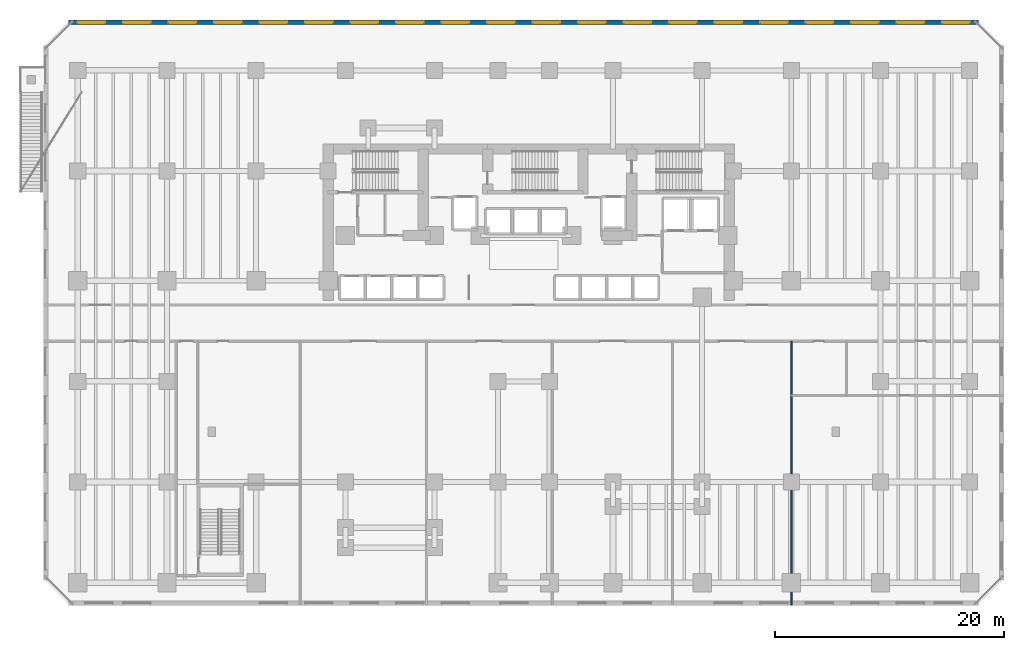
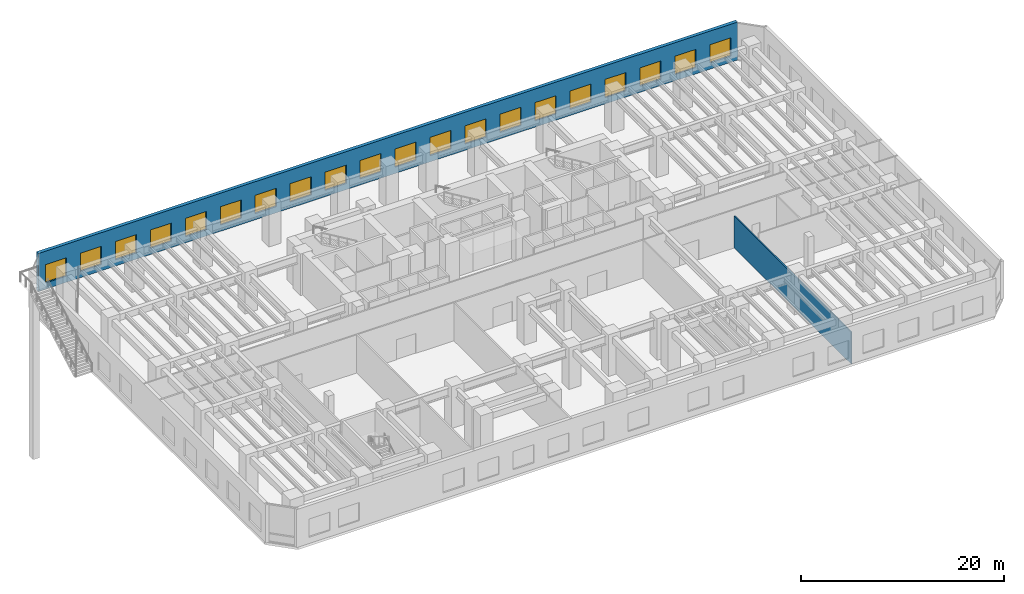
# One storey, part 15 of 20: 20 windows, 2 walls, 20 openings.
"""IFC4 building model written with IfcOpenShell, lengths in metres."""

from ifc_helpers import new_model, si_unit, direction, frame, frame_2d, origin, place, context, subcontext, project, spatial, rectangle, extrude, material, layer, layer_set, type_object, element, fill, save


model = new_model("IFC4")

# Units and contexts
model_context = context("Model", 3, precision=1e-05, world=origin(), true_north=direction((0.0, 1.0)))
body_context = subcontext(model_context, "Body", "Model", "MODEL_VIEW")
ifc_project = project(units=[si_unit("LENGTHUNIT", "METRE"), si_unit("AREAUNIT", "SQUARE_METRE"), si_unit("VOLUMEUNIT", "CUBIC_METRE"), si_unit("PLANEANGLEUNIT", "RADIAN"), si_unit("MASSUNIT", "GRAM", prefix="KILO")], contexts=[model_context])

# Site, building, storey
site_placement = place(None, origin())
site = spatial("IfcSite", under=ifc_project, at=site_placement, CompositionType="ELEMENT")
building_placement = place(site_placement, origin())
building = spatial("IfcBuilding", under=site, at=building_placement, Name="Kestravale Grand Hotel", CompositionType="ELEMENT")
storey_placement = place(building_placement, frame((0.0, 0.0, 15.800048828125)))
storey = spatial("IfcBuildingStorey", under=building, at=storey_placement, Name="L03", CompositionType="ELEMENT", Elevation=15.800048828125)

# Wall, openings, windows
ifc_material_1 = material(Name="Precast concrete f'c 45 MPa", Category="concrete")
ifc_layer_1 = layer(ifc_material_1, 0.3798828125)
ifc_layer_set_1 = layer_set([ifc_layer_1], Name="EW-POD-380")
wall_type_1 = type_object("IfcWallType", Name="EW-POD-380", PredefinedType="SOLIDWALL", material=ifc_layer_set_1)
wall_1_placement = place(storey_placement, frame((78.7900390625, 51.409912109375, 0.0), z_axis=(0.0, 0.0, 1.0), x_axis=(-1.0, 0.0, 0.0)))
wall_1 = element("IfcWall", 1, at=wall_1_placement, inside=storey, type_object=wall_type_1, Name="L03 fluted precast facade wall 5", PredefinedType="SOLIDWALL", context=body_context, shape_type="SweptSolid", body=[
    extrude(rectangle(XDim=79.580078125, YDim=0.3798828125, at=frame_2d((39.7900390625, 0.0))), origin(), (0.0, 0.0, 1.0), 4.579833984375),
])
opening_1_placement = place(wall_1_placement, frame((0.78955078125, 0.0, 0.75)))
opening_1 = element("IfcOpeningElement", 2, at=opening_1_placement, cuts=wall_1, Name="Opening W-POD-2400", PredefinedType="OPENING", context=body_context, shape_type="SweptSolid", body=[
    extrude(rectangle(XDim=2.39990234375, YDim=2.199951171875, at=frame_2d((1.199951171875, 1.10009765625))), frame((0.0, 0.199951171875, 0.0), z_axis=(0.0, -1.0, 0.0), x_axis=(1.0, 0.0, 0.0)), (0.0, 0.0, 1.0), 0.39990234375),
])
opening_2_placement = place(wall_1_placement, frame((4.7685546875, 0.0, 0.75)))
opening_2 = element("IfcOpeningElement", 3, at=opening_2_placement, cuts=wall_1, Name="Opening W-POD-2400", PredefinedType="OPENING", context=body_context, shape_type="SweptSolid", body=[
    extrude(rectangle(XDim=2.39990234375, YDim=2.199951171875, at=frame_2d((1.199951171875, 1.10009765625))), frame((0.0, 0.199951171875, 0.0), z_axis=(0.0, -1.0, 0.0), x_axis=(1.0, 0.0, 0.0)), (0.0, 0.0, 1.0), 0.39990234375),
])
opening_3_placement = place(wall_1_placement, frame((8.74755859375, 0.0, 0.75)))
opening_3 = element("IfcOpeningElement", 4, at=opening_3_placement, cuts=wall_1, Name="Opening W-POD-2400", PredefinedType="OPENING", context=body_context, shape_type="SweptSolid", body=[
    extrude(rectangle(XDim=2.39990234375, YDim=2.199951171875, at=frame_2d((1.199951171875, 1.10009765625))), frame((0.0, 0.199951171875, 0.0), z_axis=(0.0, -1.0, 0.0), x_axis=(1.0, 0.0, 0.0)), (0.0, 0.0, 1.0), 0.39990234375),
])
opening_4_placement = place(wall_1_placement, frame((12.7265625, 0.0, 0.75)))
opening_4 = element("IfcOpeningElement", 5, at=opening_4_placement, cuts=wall_1, Name="Opening W-POD-2400", PredefinedType="OPENING", context=body_context, shape_type="SweptSolid", body=[
    extrude(rectangle(XDim=2.39990234375, YDim=2.199951171875, at=frame_2d((1.199951171875, 1.10009765625))), frame((0.0, 0.199951171875, 0.0), z_axis=(0.0, -1.0, 0.0), x_axis=(1.0, 0.0, 0.0)), (0.0, 0.0, 1.0), 0.39990234375),
])
opening_5_placement = place(wall_1_placement, frame((16.70556640625, 0.0, 0.75)))
opening_5 = element("IfcOpeningElement", 6, at=opening_5_placement, cuts=wall_1, Name="Opening W-POD-2400", PredefinedType="OPENING", context=body_context, shape_type="SweptSolid", body=[
    extrude(rectangle(XDim=2.39990234375, YDim=2.199951171875, at=frame_2d((1.199951171875, 1.10009765625))), frame((0.0, 0.199951171875, 0.0), z_axis=(0.0, -1.0, 0.0), x_axis=(1.0, 0.0, 0.0)), (0.0, 0.0, 1.0), 0.39990234375),
])
opening_6_placement = place(wall_1_placement, frame((20.6845703125, 0.0, 0.75)))
opening_6 = element("IfcOpeningElement", 7, at=opening_6_placement, cuts=wall_1, Name="Opening W-POD-2400", PredefinedType="OPENING", context=body_context, shape_type="SweptSolid", body=[
    extrude(rectangle(XDim=2.39990234375, YDim=2.199951171875, at=frame_2d((1.199951171875, 1.10009765625))), frame((0.0, 0.199951171875, 0.0), z_axis=(0.0, -1.0, 0.0), x_axis=(1.0, 0.0, 0.0)), (0.0, 0.0, 1.0), 0.39990234375),
])
opening_7_placement = place(wall_1_placement, frame((24.66357421875, 0.0, 0.75)))
opening_7 = element("IfcOpeningElement", 8, at=opening_7_placement, cuts=wall_1, Name="Opening W-POD-2400", PredefinedType="OPENING", context=body_context, shape_type="SweptSolid", body=[
    extrude(rectangle(XDim=2.39990234375, YDim=2.199951171875, at=frame_2d((1.199951171875, 1.10009765625))), frame((0.0, 0.199951171875, 0.0), z_axis=(0.0, -1.0, 0.0), x_axis=(1.0, 0.0, 0.0)), (0.0, 0.0, 1.0), 0.39990234375),
])
opening_8_placement = place(wall_1_placement, frame((28.642578125, 0.0, 0.75)))
opening_8 = element("IfcOpeningElement", 9, at=opening_8_placement, cuts=wall_1, Name="Opening W-POD-2400", PredefinedType="OPENING", context=body_context, shape_type="SweptSolid", body=[
    extrude(rectangle(XDim=2.39990234375, YDim=2.199951171875, at=frame_2d((1.199951171875, 1.10009765625))), frame((0.0, 0.199951171875, 0.0), z_axis=(0.0, -1.0, 0.0), x_axis=(1.0, 0.0, 0.0)), (0.0, 0.0, 1.0), 0.39990234375),
])
opening_9_placement = place(wall_1_placement, frame((32.62158203125, 0.0, 0.75)))
opening_9 = element("IfcOpeningElement", 10, at=opening_9_placement, cuts=wall_1, Name="Opening W-POD-2400", PredefinedType="OPENING", context=body_context, shape_type="SweptSolid", body=[
    extrude(rectangle(XDim=2.39990234375, YDim=2.199951171875, at=frame_2d((1.199951171875, 1.10009765625))), frame((0.0, 0.199951171875, 0.0), z_axis=(0.0, -1.0, 0.0), x_axis=(1.0, 0.0, 0.0)), (0.0, 0.0, 1.0), 0.39990234375),
])
opening_10_placement = place(wall_1_placement, frame((36.6005859375, 0.0, 0.75)))
opening_10 = element("IfcOpeningElement", 11, at=opening_10_placement, cuts=wall_1, Name="Opening W-POD-2400", PredefinedType="OPENING", context=body_context, shape_type="SweptSolid", body=[
    extrude(rectangle(XDim=2.39990234375, YDim=2.199951171875, at=frame_2d((1.199951171875, 1.10009765625))), frame((0.0, 0.199951171875, 0.0), z_axis=(0.0, -1.0, 0.0), x_axis=(1.0, 0.0, 0.0)), (0.0, 0.0, 1.0), 0.39990234375),
])
opening_11_placement = place(wall_1_placement, frame((40.57958984375, 0.0, 0.75)))
opening_11 = element("IfcOpeningElement", 12, at=opening_11_placement, cuts=wall_1, Name="Opening W-POD-2400", PredefinedType="OPENING", context=body_context, shape_type="SweptSolid", body=[
    extrude(rectangle(XDim=2.39990234375, YDim=2.199951171875, at=frame_2d((1.199951171875, 1.10009765625))), frame((0.0, 0.199951171875, 0.0), z_axis=(0.0, -1.0, 0.0), x_axis=(1.0, 0.0, 0.0)), (0.0, 0.0, 1.0), 0.39990234375),
])
opening_12_placement = place(wall_1_placement, frame((44.55859375, 0.0, 0.75)))
opening_12 = element("IfcOpeningElement", 13, at=opening_12_placement, cuts=wall_1, Name="Opening W-POD-2400", PredefinedType="OPENING", context=body_context, shape_type="SweptSolid", body=[
    extrude(rectangle(XDim=2.39990234375, YDim=2.199951171875, at=frame_2d((1.199951171875, 1.10009765625))), frame((0.0, 0.199951171875, 0.0), z_axis=(0.0, -1.0, 0.0), x_axis=(1.0, 0.0, 0.0)), (0.0, 0.0, 1.0), 0.39990234375),
])
opening_13_placement = place(wall_1_placement, frame((48.53759765625, 0.0, 0.75)))
opening_13 = element("IfcOpeningElement", 14, at=opening_13_placement, cuts=wall_1, Name="Opening W-POD-2400", PredefinedType="OPENING", context=body_context, shape_type="SweptSolid", body=[
    extrude(rectangle(XDim=2.39990234375, YDim=2.199951171875, at=frame_2d((1.199951171875, 1.10009765625))), frame((0.0, 0.199951171875, 0.0), z_axis=(0.0, -1.0, 0.0), x_axis=(1.0, 0.0, 0.0)), (0.0, 0.0, 1.0), 0.39990234375),
])
opening_14_placement = place(wall_1_placement, frame((52.5166015625, 0.0, 0.75)))
opening_14 = element("IfcOpeningElement", 15, at=opening_14_placement, cuts=wall_1, Name="Opening W-POD-2400", PredefinedType="OPENING", context=body_context, shape_type="SweptSolid", body=[
    extrude(rectangle(XDim=2.39990234375, YDim=2.199951171875, at=frame_2d((1.199951171875, 1.10009765625))), frame((0.0, 0.199951171875, 0.0), z_axis=(0.0, -1.0, 0.0), x_axis=(1.0, 0.0, 0.0)), (0.0, 0.0, 1.0), 0.39990234375),
])
opening_15_placement = place(wall_1_placement, frame((56.49560546875, 0.0, 0.75)))
opening_15 = element("IfcOpeningElement", 16, at=opening_15_placement, cuts=wall_1, Name="Opening W-POD-2400", PredefinedType="OPENING", context=body_context, shape_type="SweptSolid", body=[
    extrude(rectangle(XDim=2.39990234375, YDim=2.199951171875, at=frame_2d((1.199951171875, 1.10009765625))), frame((0.0, 0.199951171875, 0.0), z_axis=(0.0, -1.0, 0.0), x_axis=(1.0, 0.0, 0.0)), (0.0, 0.0, 1.0), 0.39990234375),
])
opening_16_placement = place(wall_1_placement, frame((60.474609375, 0.0, 0.75)))
opening_16 = element("IfcOpeningElement", 17, at=opening_16_placement, cuts=wall_1, Name="Opening W-POD-2400", PredefinedType="OPENING", context=body_context, shape_type="SweptSolid", body=[
    extrude(rectangle(XDim=2.39990234375, YDim=2.199951171875, at=frame_2d((1.199951171875, 1.10009765625))), frame((0.0, 0.199951171875, 0.0), z_axis=(0.0, -1.0, 0.0), x_axis=(1.0, 0.0, 0.0)), (0.0, 0.0, 1.0), 0.39990234375),
])
opening_17_placement = place(wall_1_placement, frame((64.45361328125, 0.0, 0.75)))
opening_17 = element("IfcOpeningElement", 18, at=opening_17_placement, cuts=wall_1, Name="Opening W-POD-2400", PredefinedType="OPENING", context=body_context, shape_type="SweptSolid", body=[
    extrude(rectangle(XDim=2.39990234375, YDim=2.199951171875, at=frame_2d((1.199951171875, 1.10009765625))), frame((0.0, 0.199951171875, 0.0), z_axis=(0.0, -1.0, 0.0), x_axis=(1.0, 0.0, 0.0)), (0.0, 0.0, 1.0), 0.39990234375),
])
opening_18_placement = place(wall_1_placement, frame((68.4326171875, 0.0, 0.75)))
opening_18 = element("IfcOpeningElement", 19, at=opening_18_placement, cuts=wall_1, Name="Opening W-POD-2400", PredefinedType="OPENING", context=body_context, shape_type="SweptSolid", body=[
    extrude(rectangle(XDim=2.39990234375, YDim=2.199951171875, at=frame_2d((1.199951171875, 1.10009765625))), frame((0.0, 0.199951171875, 0.0), z_axis=(0.0, -1.0, 0.0), x_axis=(1.0, 0.0, 0.0)), (0.0, 0.0, 1.0), 0.39990234375),
])
opening_19_placement = place(wall_1_placement, frame((72.41162109375, 0.0, 0.75)))
opening_19 = element("IfcOpeningElement", 20, at=opening_19_placement, cuts=wall_1, Name="Opening W-POD-2400", PredefinedType="OPENING", context=body_context, shape_type="SweptSolid", body=[
    extrude(rectangle(XDim=2.39990234375, YDim=2.199951171875, at=frame_2d((1.199951171875, 1.10009765625))), frame((0.0, 0.199951171875, 0.0), z_axis=(0.0, -1.0, 0.0), x_axis=(1.0, 0.0, 0.0)), (0.0, 0.0, 1.0), 0.39990234375),
])
opening_20_placement = place(wall_1_placement, frame((76.390380859375, 0.0, 0.75)))
opening_20 = element("IfcOpeningElement", 21, at=opening_20_placement, cuts=wall_1, Name="Opening W-POD-2400", PredefinedType="OPENING", context=body_context, shape_type="SweptSolid", body=[
    extrude(rectangle(XDim=2.39990234375, YDim=2.199951171875, at=frame_2d((1.199951171875, 1.10009765625))), frame((0.0, 0.199951171875, 0.0), z_axis=(0.0, -1.0, 0.0), x_axis=(1.0, 0.0, 0.0)), (0.0, 0.0, 1.0), 0.39990234375),
])
ifc_material_2 = material(Name="Insulated low-E double glazing in aluminium frame", Category="aluminium")
window_type = type_object("IfcWindowType", Name="W-POD-2400", PartitioningType="DOUBLE_PANEL_VERTICAL", PredefinedType="WINDOW", material=ifc_material_2)
window_1_placement = place(opening_1_placement, origin())
window_1 = element("IfcWindow", 22, at=window_1_placement, inside=storey, type_object=window_type, Name="L03 exterior window 5.1", OverallHeight=2.199951171875, OverallWidth=2.39990234375, PartitioningType="SINGLE_PANEL", PredefinedType="WINDOW", context=body_context, shape_type="SweptSolid", body=[
    extrude(rectangle(XDim=2.39990234375, YDim=2.199951171875, at=frame_2d((1.199951171875, 1.10009765625))), frame((0.0, 0.030029296875, 0.0), z_axis=(0.0, -1.0, 0.0), x_axis=(1.0, 0.0, 0.0)), (0.0, 0.0, 1.0), 0.06005859375),
])
fill(opening_1, window_1)
window_2_placement = place(opening_2_placement, origin())
window_2 = element("IfcWindow", 23, at=window_2_placement, inside=storey, type_object=window_type, Name="L03 exterior window 5.2", OverallHeight=2.199951171875, OverallWidth=2.39990234375, PartitioningType="SINGLE_PANEL", PredefinedType="WINDOW", context=body_context, shape_type="SweptSolid", body=[
    extrude(rectangle(XDim=2.39990234375, YDim=2.199951171875, at=frame_2d((1.199951171875, 1.10009765625))), frame((0.0, 0.030029296875, 0.0), z_axis=(0.0, -1.0, 0.0), x_axis=(1.0, 0.0, 0.0)), (0.0, 0.0, 1.0), 0.06005859375),
])
fill(opening_2, window_2)
window_3_placement = place(opening_3_placement, origin())
window_3 = element("IfcWindow", 24, at=window_3_placement, inside=storey, type_object=window_type, Name="L03 exterior window 5.3", OverallHeight=2.199951171875, OverallWidth=2.39990234375, PartitioningType="SINGLE_PANEL", PredefinedType="WINDOW", context=body_context, shape_type="SweptSolid", body=[
    extrude(rectangle(XDim=2.39990234375, YDim=2.199951171875, at=frame_2d((1.199951171875, 1.10009765625))), frame((0.0, 0.030029296875, 0.0), z_axis=(0.0, -1.0, 0.0), x_axis=(1.0, 0.0, 0.0)), (0.0, 0.0, 1.0), 0.06005859375),
])
fill(opening_3, window_3)
window_4_placement = place(opening_4_placement, origin())
window_4 = element("IfcWindow", 25, at=window_4_placement, inside=storey, type_object=window_type, Name="L03 exterior window 5.4", OverallHeight=2.199951171875, OverallWidth=2.39990234375, PartitioningType="SINGLE_PANEL", PredefinedType="WINDOW", context=body_context, shape_type="SweptSolid", body=[
    extrude(rectangle(XDim=2.39990234375, YDim=2.199951171875, at=frame_2d((1.199951171875, 1.10009765625))), frame((0.0, 0.030029296875, 0.0), z_axis=(0.0, -1.0, 0.0), x_axis=(1.0, 0.0, 0.0)), (0.0, 0.0, 1.0), 0.06005859375),
])
fill(opening_4, window_4)
window_5_placement = place(opening_5_placement, origin())
window_5 = element("IfcWindow", 26, at=window_5_placement, inside=storey, type_object=window_type, Name="L03 exterior window 5.5", OverallHeight=2.199951171875, OverallWidth=2.39990234375, PartitioningType="SINGLE_PANEL", PredefinedType="WINDOW", context=body_context, shape_type="SweptSolid", body=[
    extrude(rectangle(XDim=2.39990234375, YDim=2.199951171875, at=frame_2d((1.199951171875, 1.10009765625))), frame((0.0, 0.030029296875, 0.0), z_axis=(0.0, -1.0, 0.0), x_axis=(1.0, 0.0, 0.0)), (0.0, 0.0, 1.0), 0.06005859375),
])
fill(opening_5, window_5)
window_6_placement = place(opening_6_placement, origin())
window_6 = element("IfcWindow", 27, at=window_6_placement, inside=storey, type_object=window_type, Name="L03 exterior window 5.6", OverallHeight=2.199951171875, OverallWidth=2.39990234375, PartitioningType="SINGLE_PANEL", PredefinedType="WINDOW", context=body_context, shape_type="SweptSolid", body=[
    extrude(rectangle(XDim=2.39990234375, YDim=2.199951171875, at=frame_2d((1.199951171875, 1.10009765625))), frame((0.0, 0.030029296875, 0.0), z_axis=(0.0, -1.0, 0.0), x_axis=(1.0, 0.0, 0.0)), (0.0, 0.0, 1.0), 0.06005859375),
])
fill(opening_6, window_6)
window_7_placement = place(opening_7_placement, origin())
window_7 = element("IfcWindow", 28, at=window_7_placement, inside=storey, type_object=window_type, Name="L03 exterior window 5.7", OverallHeight=2.199951171875, OverallWidth=2.39990234375, PartitioningType="SINGLE_PANEL", PredefinedType="WINDOW", context=body_context, shape_type="SweptSolid", body=[
    extrude(rectangle(XDim=2.39990234375, YDim=2.199951171875, at=frame_2d((1.199951171875, 1.10009765625))), frame((0.0, 0.030029296875, 0.0), z_axis=(0.0, -1.0, 0.0), x_axis=(1.0, 0.0, 0.0)), (0.0, 0.0, 1.0), 0.06005859375),
])
fill(opening_7, window_7)
window_8_placement = place(opening_8_placement, origin())
window_8 = element("IfcWindow", 29, at=window_8_placement, inside=storey, type_object=window_type, Name="L03 exterior window 5.8", OverallHeight=2.199951171875, OverallWidth=2.39990234375, PartitioningType="SINGLE_PANEL", PredefinedType="WINDOW", context=body_context, shape_type="SweptSolid", body=[
    extrude(rectangle(XDim=2.39990234375, YDim=2.199951171875, at=frame_2d((1.199951171875, 1.10009765625))), frame((0.0, 0.030029296875, 0.0), z_axis=(0.0, -1.0, 0.0), x_axis=(1.0, 0.0, 0.0)), (0.0, 0.0, 1.0), 0.06005859375),
])
fill(opening_8, window_8)
window_9_placement = place(opening_9_placement, origin())
window_9 = element("IfcWindow", 30, at=window_9_placement, inside=storey, type_object=window_type, Name="L03 exterior window 5.9", OverallHeight=2.199951171875, OverallWidth=2.39990234375, PartitioningType="SINGLE_PANEL", PredefinedType="WINDOW", context=body_context, shape_type="SweptSolid", body=[
    extrude(rectangle(XDim=2.39990234375, YDim=2.199951171875, at=frame_2d((1.199951171875, 1.10009765625))), frame((0.0, 0.030029296875, 0.0), z_axis=(0.0, -1.0, 0.0), x_axis=(1.0, 0.0, 0.0)), (0.0, 0.0, 1.0), 0.06005859375),
])
fill(opening_9, window_9)
window_10_placement = place(opening_10_placement, origin())
window_10 = element("IfcWindow", 31, at=window_10_placement, inside=storey, type_object=window_type, Name="L03 exterior window 5.10", OverallHeight=2.199951171875, OverallWidth=2.39990234375, PartitioningType="SINGLE_PANEL", PredefinedType="WINDOW", context=body_context, shape_type="SweptSolid", body=[
    extrude(rectangle(XDim=2.39990234375, YDim=2.199951171875, at=frame_2d((1.199951171875, 1.10009765625))), frame((0.0, 0.030029296875, 0.0), z_axis=(0.0, -1.0, 0.0), x_axis=(1.0, 0.0, 0.0)), (0.0, 0.0, 1.0), 0.06005859375),
])
fill(opening_10, window_10)
window_11_placement = place(opening_11_placement, origin())
window_11 = element("IfcWindow", 32, at=window_11_placement, inside=storey, type_object=window_type, Name="L03 exterior window 5.11", OverallHeight=2.199951171875, OverallWidth=2.39990234375, PartitioningType="SINGLE_PANEL", PredefinedType="WINDOW", context=body_context, shape_type="SweptSolid", body=[
    extrude(rectangle(XDim=2.39990234375, YDim=2.199951171875, at=frame_2d((1.199951171875, 1.10009765625))), frame((0.0, 0.030029296875, 0.0), z_axis=(0.0, -1.0, 0.0), x_axis=(1.0, 0.0, 0.0)), (0.0, 0.0, 1.0), 0.06005859375),
])
fill(opening_11, window_11)
window_12_placement = place(opening_12_placement, origin())
window_12 = element("IfcWindow", 33, at=window_12_placement, inside=storey, type_object=window_type, Name="L03 exterior window 5.12", OverallHeight=2.199951171875, OverallWidth=2.39990234375, PartitioningType="SINGLE_PANEL", PredefinedType="WINDOW", context=body_context, shape_type="SweptSolid", body=[
    extrude(rectangle(XDim=2.39990234375, YDim=2.199951171875, at=frame_2d((1.199951171875, 1.10009765625))), frame((0.0, 0.030029296875, 0.0), z_axis=(0.0, -1.0, 0.0), x_axis=(1.0, 0.0, 0.0)), (0.0, 0.0, 1.0), 0.06005859375),
])
fill(opening_12, window_12)
window_13_placement = place(opening_13_placement, origin())
window_13 = element("IfcWindow", 34, at=window_13_placement, inside=storey, type_object=window_type, Name="L03 exterior window 5.13", OverallHeight=2.199951171875, OverallWidth=2.39990234375, PartitioningType="SINGLE_PANEL", PredefinedType="WINDOW", context=body_context, shape_type="SweptSolid", body=[
    extrude(rectangle(XDim=2.39990234375, YDim=2.199951171875, at=frame_2d((1.199951171875, 1.10009765625))), frame((0.0, 0.030029296875, 0.0), z_axis=(0.0, -1.0, 0.0), x_axis=(1.0, 0.0, 0.0)), (0.0, 0.0, 1.0), 0.06005859375),
])
fill(opening_13, window_13)
window_14_placement = place(opening_14_placement, origin())
window_14 = element("IfcWindow", 35, at=window_14_placement, inside=storey, type_object=window_type, Name="L03 exterior window 5.14", OverallHeight=2.199951171875, OverallWidth=2.39990234375, PartitioningType="SINGLE_PANEL", PredefinedType="WINDOW", context=body_context, shape_type="SweptSolid", body=[
    extrude(rectangle(XDim=2.39990234375, YDim=2.199951171875, at=frame_2d((1.199951171875, 1.10009765625))), frame((0.0, 0.030029296875, 0.0), z_axis=(0.0, -1.0, 0.0), x_axis=(1.0, 0.0, 0.0)), (0.0, 0.0, 1.0), 0.06005859375),
])
fill(opening_14, window_14)
window_15_placement = place(opening_15_placement, origin())
window_15 = element("IfcWindow", 36, at=window_15_placement, inside=storey, type_object=window_type, Name="L03 exterior window 5.15", OverallHeight=2.199951171875, OverallWidth=2.39990234375, PartitioningType="SINGLE_PANEL", PredefinedType="WINDOW", context=body_context, shape_type="SweptSolid", body=[
    extrude(rectangle(XDim=2.39990234375, YDim=2.199951171875, at=frame_2d((1.199951171875, 1.10009765625))), frame((0.0, 0.030029296875, 0.0), z_axis=(0.0, -1.0, 0.0), x_axis=(1.0, 0.0, 0.0)), (0.0, 0.0, 1.0), 0.06005859375),
])
fill(opening_15, window_15)
window_16_placement = place(opening_16_placement, origin())
window_16 = element("IfcWindow", 37, at=window_16_placement, inside=storey, type_object=window_type, Name="L03 exterior window 5.16", OverallHeight=2.199951171875, OverallWidth=2.39990234375, PartitioningType="SINGLE_PANEL", PredefinedType="WINDOW", context=body_context, shape_type="SweptSolid", body=[
    extrude(rectangle(XDim=2.39990234375, YDim=2.199951171875, at=frame_2d((1.199951171875, 1.10009765625))), frame((0.0, 0.030029296875, 0.0), z_axis=(0.0, -1.0, 0.0), x_axis=(1.0, 0.0, 0.0)), (0.0, 0.0, 1.0), 0.06005859375),
])
fill(opening_16, window_16)
window_17_placement = place(opening_17_placement, origin())
window_17 = element("IfcWindow", 38, at=window_17_placement, inside=storey, type_object=window_type, Name="L03 exterior window 5.17", OverallHeight=2.199951171875, OverallWidth=2.39990234375, PartitioningType="SINGLE_PANEL", PredefinedType="WINDOW", context=body_context, shape_type="SweptSolid", body=[
    extrude(rectangle(XDim=2.39990234375, YDim=2.199951171875, at=frame_2d((1.199951171875, 1.10009765625))), frame((0.0, 0.030029296875, 0.0), z_axis=(0.0, -1.0, 0.0), x_axis=(1.0, 0.0, 0.0)), (0.0, 0.0, 1.0), 0.06005859375),
])
fill(opening_17, window_17)
window_18_placement = place(opening_18_placement, origin())
window_18 = element("IfcWindow", 39, at=window_18_placement, inside=storey, type_object=window_type, Name="L03 exterior window 5.18", OverallHeight=2.199951171875, OverallWidth=2.39990234375, PartitioningType="SINGLE_PANEL", PredefinedType="WINDOW", context=body_context, shape_type="SweptSolid", body=[
    extrude(rectangle(XDim=2.39990234375, YDim=2.199951171875, at=frame_2d((1.199951171875, 1.10009765625))), frame((0.0, 0.030029296875, 0.0), z_axis=(0.0, -1.0, 0.0), x_axis=(1.0, 0.0, 0.0)), (0.0, 0.0, 1.0), 0.06005859375),
])
fill(opening_18, window_18)
window_19_placement = place(opening_19_placement, origin())
window_19 = element("IfcWindow", 40, at=window_19_placement, inside=storey, type_object=window_type, Name="L03 exterior window 5.19", OverallHeight=2.199951171875, OverallWidth=2.39990234375, PartitioningType="SINGLE_PANEL", PredefinedType="WINDOW", context=body_context, shape_type="SweptSolid", body=[
    extrude(rectangle(XDim=2.39990234375, YDim=2.199951171875, at=frame_2d((1.199951171875, 1.10009765625))), frame((0.0, 0.030029296875, 0.0), z_axis=(0.0, -1.0, 0.0), x_axis=(1.0, 0.0, 0.0)), (0.0, 0.0, 1.0), 0.06005859375),
])
fill(opening_19, window_19)
window_20_placement = place(opening_20_placement, origin())
window_20 = element("IfcWindow", 41, at=window_20_placement, inside=storey, type_object=window_type, Name="L03 exterior window 5.20", OverallHeight=2.199951171875, OverallWidth=2.39990234375, PartitioningType="SINGLE_PANEL", PredefinedType="WINDOW", context=body_context, shape_type="SweptSolid", body=[
    extrude(rectangle(XDim=2.39990234375, YDim=2.199951171875, at=frame_2d((1.199951171875, 1.10009765625))), frame((0.0, 0.030029296875, 0.0), z_axis=(0.0, -1.0, 0.0), x_axis=(1.0, 0.0, 0.0)), (0.0, 0.0, 1.0), 0.06005859375),
])
fill(opening_20, window_20)

# Wall
ifc_material_3 = material(Name="Moisture-resistant tile-backer plumbing chase wall", Category="other")
ifc_layer_2 = layer(ifc_material_3, 0.139892578125)
ifc_layer_set_2 = layer_set([ifc_layer_2], Name="IW-PLB-140")
wall_type_2 = type_object("IfcWallType", Name="IW-PLB-140", PredefinedType="PLUMBINGWALL", material=ifc_layer_set_2)
wall_2_placement = place(storey_placement, frame((62.39990234375, 0.419921875, 0.0), z_axis=(0.0, 0.0, 1.0), x_axis=(0.0, 1.0, 0.0)))
element("IfcWall", 42, at=wall_2_placement, inside=storey, type_object=wall_type_2, Name="W-L03-WCL", PredefinedType="PLUMBINGWALL", context=body_context, shape_type="SweptSolid", body=[
    extrude(rectangle(XDim=23.10009765625, YDim=0.139892578125, at=frame_2d((11.550048828125, 0.0))), origin(), (0.0, 0.0, 1.0), 3.829833984375),
])

save(model, "model.ifc")
